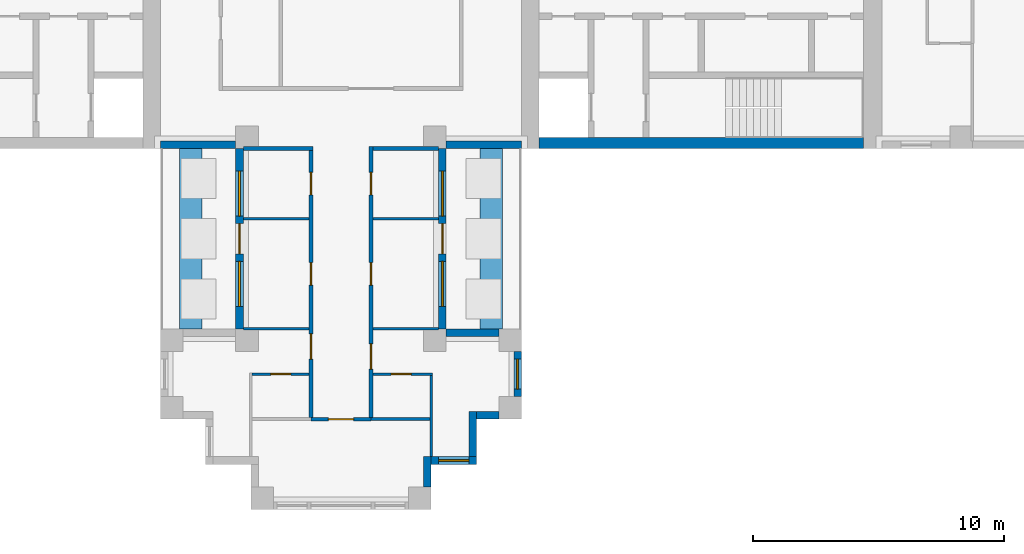
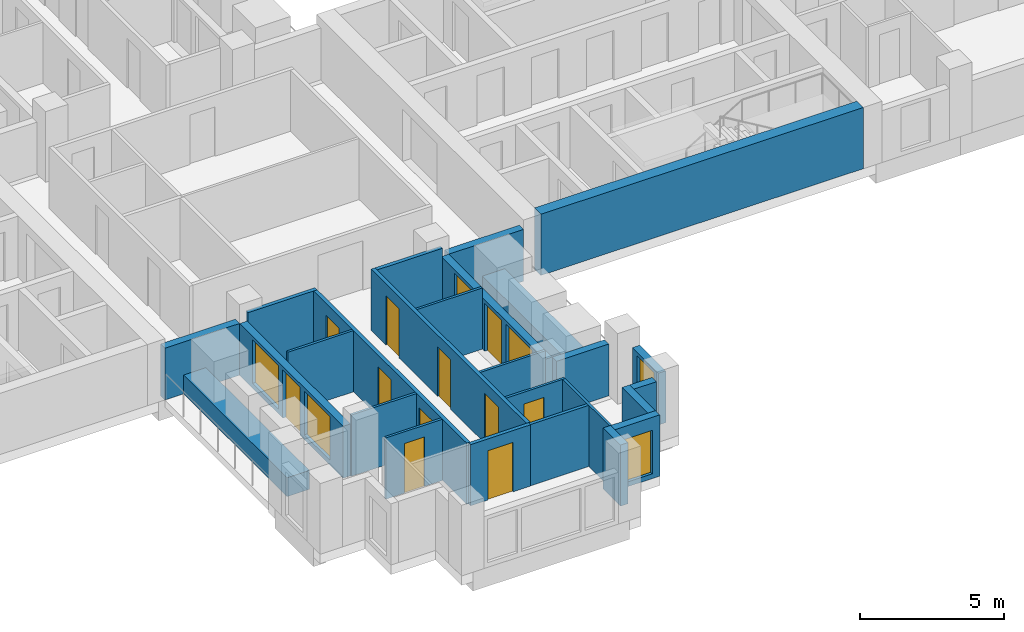
# One storey, part 5 of 12: 26 walls, 11 doors, 6 windows, 17 openings.
"""IFC4 building model written with IfcOpenShell, lengths in metres."""

from ifc_helpers import new_model, si_unit, direction, frame, frame_2d, origin, place, context, subcontext, project, spatial, rectangle, extrude, material, layer, layer_set, type_object, element, fill, save


model = new_model("IFC4")

# Units and contexts
model_context = context("Model", 3, precision=1e-05, world=origin(), true_north=direction((0.0, 1.0)))
body_context = subcontext(model_context, "Body", "Model", "MODEL_VIEW")
ifc_project = project(units=[si_unit("LENGTHUNIT", "METRE"), si_unit("AREAUNIT", "SQUARE_METRE"), si_unit("VOLUMEUNIT", "CUBIC_METRE"), si_unit("PLANEANGLEUNIT", "RADIAN"), si_unit("MASSUNIT", "GRAM", prefix="KILO")], contexts=[model_context])

# Site, building, storey
site_placement = place(None, origin())
site = spatial("IfcSite", under=ifc_project, at=site_placement, CompositionType="ELEMENT")
building_placement = place(site_placement, origin())
building = spatial("IfcBuilding", under=site, at=building_placement, Name="Fustian Cross Tower", CompositionType="ELEMENT")
storey_placement = place(building_placement, frame((0.0, 0.0, 147.300048828125)))
storey = spatial("IfcBuildingStorey", under=building, at=storey_placement, Name="L46", CompositionType="ELEMENT", Elevation=147.300048828125)

# Wall
ifc_material_1 = material(Name="Plasterboard on steel stud", Category="steel")
ifc_layer_1 = layer(ifc_material_1, 0.14990234375)
ifc_layer_set_1 = layer_set([ifc_layer_1], Name="Plasterboard on steel stud")
wall_type_1 = type_object("IfcWallType", Name="COMPARTMENT WALL 150 EI 60", PredefinedType="PARTITIONING", material=ifc_layer_set_1)
wall_1_placement = place(storey_placement, frame((-3.89990234375, -7.199951171875, 0.0), z_axis=(0.0, 0.0, 1.0), x_axis=(1.0, 0.0, 0.0)))
element("IfcWall", 1, at=wall_1_placement, inside=storey, type_object=wall_type_1, Name="Partition 23", PredefinedType="PARTITIONING", context=body_context, shape_type="SweptSolid", body=[
    extrude(rectangle(XDim=2.77490234375, YDim=0.14990234375, at=frame_2d((1.387451171875, 0.0))), origin(), (0.0, 0.0, 1.0), 2.599853515625),
])

# Wall, openings, doors
wall_2_placement = place(storey_placement, frame((-1.199951171875, -17.925048828125, 0.0), z_axis=(0.0, 0.0, 1.0), x_axis=(0.0, 1.0, 0.0)))
wall_2 = element("IfcWall", 2, at=wall_2_placement, inside=storey, type_object=wall_type_1, Name="Partition 36", PredefinedType="PARTITIONING", context=body_context, shape_type="SweptSolid", body=[
    extrude(rectangle(XDim=10.650146484375, YDim=0.14990234375, at=frame_2d((5.3251953125, 0.0))), origin(), (0.0, 0.0, 1.0), 2.599853515625),
])
opening_1_placement = place(wall_2_placement, frame((8.875, 0.0, 0.0)))
opening_1 = element("IfcOpeningElement", 3, at=opening_1_placement, cuts=wall_2, Name="Opening D21043", PredefinedType="OPENING", context=body_context, shape_type="SweptSolid", body=[
    extrude(rectangle(XDim=0.89990234375, YDim=2.10009765625, at=frame_2d((0.449951171875, 1.050048828125))), frame((0.0, 0.0849609375, 0.0), z_axis=(0.0, -1.0, 0.0), x_axis=(1.0, 0.0, 0.0)), (0.0, 0.0, 1.0), 0.169921875),
])
opening_2_placement = place(wall_2_placement, frame((5.27490234375, 0.0, 0.0)))
opening_2 = element("IfcOpeningElement", 4, at=opening_2_placement, cuts=wall_2, Name="Opening D21044", PredefinedType="OPENING", context=body_context, shape_type="SweptSolid", body=[
    extrude(rectangle(XDim=0.89990234375, YDim=2.10009765625, at=frame_2d((0.449951171875, 1.050048828125))), frame((0.0, 0.0849609375, 0.0), z_axis=(0.0, -1.0, 0.0), x_axis=(1.0, 0.0, 0.0)), (0.0, 0.0, 1.0), 0.169921875),
])
opening_3_placement = place(wall_2_placement, frame((2.324951171875, 0.0, 0.0)))
opening_3 = element("IfcOpeningElement", 5, at=opening_3_placement, cuts=wall_2, Name="Opening D21046", PredefinedType="OPENING", context=body_context, shape_type="SweptSolid", body=[
    extrude(rectangle(XDim=1.0, YDim=2.10009765625, at=frame_2d((0.5, 1.050048828125))), frame((0.0, 0.0849609375, 0.0), z_axis=(0.0, -1.0, 0.0), x_axis=(1.0, 0.0, 0.0)), (0.0, 0.0, 1.0), 0.169921875),
])
ifc_material_2 = material(Name="Timber fire door set", Category="wood")
door_type_1 = type_object("IfcDoorType", Name="FIRE SWING DOOR 1000 FD30S", OperationType="SINGLE_SWING_LEFT", PredefinedType="DOOR", material=ifc_material_2)
door_1_placement = place(opening_3_placement, origin())
door_1 = element("IfcDoor", 6, at=door_1_placement, inside=storey, type_object=door_type_1, Name="Door D21046", OperationType="SINGLE_SWING_RIGHT", OverallHeight=2.10009765625, OverallWidth=1.0, PredefinedType="DOOR", context=body_context, shape_type="SweptSolid", body=[
    extrude(rectangle(XDim=1.0, YDim=2.10009765625, at=frame_2d((0.5, 1.050048828125))), frame((0.0, 0.02490234375, 0.0), z_axis=(0.0, -1.0, 0.0), x_axis=(1.0, 0.0, 0.0)), (0.0, 0.0, 1.0), 0.050048828125),
])
fill(opening_3, door_1)
ifc_material_3 = material(Name="Timber fire door set", Category="wood")
door_type_2 = type_object("IfcDoorType", Name="FIRE SWING DOOR 900 FD30S", OperationType="SINGLE_SWING_LEFT", PredefinedType="DOOR", material=ifc_material_3)
door_2_placement = place(opening_1_placement, origin())
door_2 = element("IfcDoor", 7, at=door_2_placement, inside=storey, type_object=door_type_2, Name="Door D21043", OperationType="SINGLE_SWING_LEFT", OverallHeight=2.10009765625, OverallWidth=0.89990234375, PredefinedType="DOOR", context=body_context, shape_type="SweptSolid", body=[
    extrude(rectangle(XDim=0.89990234375, YDim=2.10009765625, at=frame_2d((0.449951171875, 1.050048828125))), frame((0.0, 0.02490234375, 0.0), z_axis=(0.0, -1.0, 0.0), x_axis=(1.0, 0.0, 0.0)), (0.0, 0.0, 1.0), 0.050048828125),
])
fill(opening_1, door_2)
door_3_placement = place(opening_2_placement, origin())
door_3 = element("IfcDoor", 8, at=door_3_placement, inside=storey, type_object=door_type_2, Name="Door D21044", OperationType="SINGLE_SWING_LEFT", OverallHeight=2.10009765625, OverallWidth=0.89990234375, PredefinedType="DOOR", context=body_context, shape_type="SweptSolid", body=[
    extrude(rectangle(XDim=0.89990234375, YDim=2.10009765625, at=frame_2d((0.449951171875, 1.050048828125))), frame((0.0, 0.02490234375, 0.0), z_axis=(0.0, -1.0, 0.0), x_axis=(1.0, 0.0, 0.0)), (0.0, 0.0, 1.0), 0.050048828125),
])
fill(opening_2, door_3)

# Wall, opening, door
wall_3_placement = place(storey_placement, frame((-1.199951171875, -18.0, 0.0), z_axis=(0.0, 0.0, 1.0), x_axis=(1.0, 0.0, 0.0)))
wall_3 = element("IfcWall", 9, at=wall_3_placement, inside=storey, type_object=wall_type_1, Name="Partition 37", PredefinedType="PARTITIONING", context=body_context, shape_type="SweptSolid", body=[
    extrude(rectangle(XDim=2.39990234375, YDim=0.14990234375, at=frame_2d((1.199951171875, 0.0))), origin(), (0.0, 0.0, 1.0), 2.599853515625),
])
opening_4_placement = place(wall_3_placement, frame((0.699951171875, 0.0, 0.0)))
opening_4 = element("IfcOpeningElement", 10, at=opening_4_placement, cuts=wall_3, Name="Opening D21038", PredefinedType="OPENING", context=body_context, shape_type="SweptSolid", body=[
    extrude(rectangle(XDim=1.0, YDim=2.10009765625, at=frame_2d((0.5, 1.050048828125))), frame((0.0, 0.0849609375, 0.0), z_axis=(0.0, -1.0, 0.0), x_axis=(1.0, 0.0, 0.0)), (0.0, 0.0, 1.0), 0.169921875),
])
door_4_placement = place(opening_4_placement, frame((1.0, 0.0, 0.0), z_axis=(0.0, 0.0, 1.0), x_axis=(-1.0, 0.0, 0.0)))
door_4 = element("IfcDoor", 11, at=door_4_placement, inside=storey, type_object=door_type_1, Name="Door D21038", OperationType="SINGLE_SWING_RIGHT", OverallHeight=2.10009765625, OverallWidth=1.0, PredefinedType="DOOR", context=body_context, shape_type="SweptSolid", body=[
    extrude(rectangle(XDim=1.0, YDim=2.10009765625, at=frame_2d((0.5, 1.050048828125))), frame((0.0, 0.02490234375, 0.0), z_axis=(0.0, -1.0, 0.0), x_axis=(1.0, 0.0, 0.0)), (0.0, 0.0, 1.0), 0.050048828125),
])
fill(opening_4, door_4)

# Wall, openings, doors
wall_4_placement = place(storey_placement, frame((1.199951171875, -17.925048828125, 0.0), z_axis=(0.0, 0.0, 1.0), x_axis=(0.0, 1.0, 0.0)))
wall_4 = element("IfcWall", 12, at=wall_4_placement, inside=storey, type_object=wall_type_1, Name="Partition 40", PredefinedType="PARTITIONING", context=body_context, shape_type="SweptSolid", body=[
    extrude(rectangle(XDim=10.800048828125, YDim=0.14990234375, at=frame_2d((5.39990234375, 0.0))), origin(), (0.0, 0.0, 1.0), 2.599853515625),
])
opening_5_placement = place(wall_4_placement, frame((8.875, 0.0, 0.0)))
opening_5 = element("IfcOpeningElement", 13, at=opening_5_placement, cuts=wall_4, Name="Opening D21039", PredefinedType="OPENING", context=body_context, shape_type="SweptSolid", body=[
    extrude(rectangle(XDim=0.89990234375, YDim=2.10009765625, at=frame_2d((0.449951171875, 1.050048828125))), frame((0.0, 0.0849609375, 0.0), z_axis=(0.0, -1.0, 0.0), x_axis=(1.0, 0.0, 0.0)), (0.0, 0.0, 1.0), 0.169921875),
])
opening_6_placement = place(wall_4_placement, frame((5.27490234375, 0.0, 0.0)))
opening_6 = element("IfcOpeningElement", 14, at=opening_6_placement, cuts=wall_4, Name="Opening D21040", PredefinedType="OPENING", context=body_context, shape_type="SweptSolid", body=[
    extrude(rectangle(XDim=0.89990234375, YDim=2.10009765625, at=frame_2d((0.449951171875, 1.050048828125))), frame((0.0, 0.0849609375, 0.0), z_axis=(0.0, -1.0, 0.0), x_axis=(1.0, 0.0, 0.0)), (0.0, 0.0, 1.0), 0.169921875),
])
opening_7_placement = place(wall_4_placement, frame((1.925048828125, 0.0, 0.0)))
opening_7 = element("IfcOpeningElement", 15, at=opening_7_placement, cuts=wall_4, Name="Opening D21042", PredefinedType="OPENING", context=body_context, shape_type="SweptSolid", body=[
    extrude(rectangle(XDim=1.0, YDim=2.10009765625, at=frame_2d((0.5, 1.050048828125))), frame((0.0, 0.0849609375, 0.0), z_axis=(0.0, -1.0, 0.0), x_axis=(1.0, 0.0, 0.0)), (0.0, 0.0, 1.0), 0.169921875),
])
door_5_placement = place(opening_7_placement, frame((1.0, 0.0, 0.0), z_axis=(0.0, 0.0, 1.0), x_axis=(-1.0, 0.0, 0.0)))
door_5 = element("IfcDoor", 16, at=door_5_placement, inside=storey, type_object=door_type_1, Name="Door D21042", OperationType="SINGLE_SWING_RIGHT", OverallHeight=2.10009765625, OverallWidth=1.0, PredefinedType="DOOR", context=body_context, shape_type="SweptSolid", body=[
    extrude(rectangle(XDim=1.0, YDim=2.10009765625, at=frame_2d((0.5, 1.050048828125))), frame((0.0, 0.02490234375, 0.0), z_axis=(0.0, -1.0, 0.0), x_axis=(1.0, 0.0, 0.0)), (0.0, 0.0, 1.0), 0.050048828125),
])
fill(opening_7, door_5)
door_6_placement = place(opening_5_placement, frame((0.89990234375, 0.0, 0.0), z_axis=(0.0, 0.0, 1.0), x_axis=(-1.0, 0.0, 0.0)))
door_6 = element("IfcDoor", 17, at=door_6_placement, inside=storey, type_object=door_type_2, Name="Door D21039", OperationType="SINGLE_SWING_RIGHT", OverallHeight=2.10009765625, OverallWidth=0.89990234375, PredefinedType="DOOR", context=body_context, shape_type="SweptSolid", body=[
    extrude(rectangle(XDim=0.89990234375, YDim=2.10009765625, at=frame_2d((0.449951171875, 1.050048828125))), frame((0.0, 0.02490234375, 0.0), z_axis=(0.0, -1.0, 0.0), x_axis=(1.0, 0.0, 0.0)), (0.0, 0.0, 1.0), 0.050048828125),
])
fill(opening_5, door_6)
door_7_placement = place(opening_6_placement, frame((0.89990234375, 0.0, 0.0), z_axis=(0.0, 0.0, 1.0), x_axis=(-1.0, 0.0, 0.0)))
door_7 = element("IfcDoor", 18, at=door_7_placement, inside=storey, type_object=door_type_2, Name="Door D21040", OperationType="SINGLE_SWING_RIGHT", OverallHeight=2.10009765625, OverallWidth=0.89990234375, PredefinedType="DOOR", context=body_context, shape_type="SweptSolid", body=[
    extrude(rectangle(XDim=0.89990234375, YDim=2.10009765625, at=frame_2d((0.449951171875, 1.050048828125))), frame((0.0, 0.02490234375, 0.0), z_axis=(0.0, -1.0, 0.0), x_axis=(1.0, 0.0, 0.0)), (0.0, 0.0, 1.0), 0.050048828125),
])
fill(opening_6, door_7)

# Walls
wall_5_placement = place(storey_placement, frame((1.27490234375, -7.199951171875, 0.0), z_axis=(0.0, 0.0, 1.0), x_axis=(1.0, 0.0, 0.0)))
element("IfcWall", 19, at=wall_5_placement, inside=storey, type_object=wall_type_1, Name="Partition 45", PredefinedType="PARTITIONING", context=body_context, shape_type="SweptSolid", body=[
    extrude(rectangle(XDim=2.625, YDim=0.14990234375, at=frame_2d((1.3125, 0.0))), origin(), (0.0, 0.0, 1.0), 2.599853515625),
])
ifc_material_4 = material(Name="Concrete C60/75", Category="concrete")
ifc_layer_2 = layer(ifc_material_4, 0.449951171875)
ifc_layer_set_2 = layer_set([ifc_layer_2], Name="Concrete C60/75")
wall_type_2 = type_object("IfcWallType", Name="CORE FACADE WALL 450 C60/75", PredefinedType="SHEAR", material=ifc_layer_set_2)
wall_6_placement = place(storey_placement, frame((7.89990234375, -6.97509765625, 0.0), z_axis=(0.0, 0.0, 1.0), x_axis=(1.0, 0.0, 0.0)))
element("IfcWall", 20, at=wall_6_placement, inside=storey, type_object=wall_type_2, Name="Core facade wall", PredefinedType="SHEAR", context=body_context, shape_type="SweptSolid", body=[
    extrude(rectangle(XDim=12.9501953125, YDim=0.449951171875, at=frame_2d((6.47509765625, 0.0))), origin(), (0.0, 0.0, 1.0), 2.599853515625),
])
ifc_material_5 = material(Name="Plasterboard on steel stud", Category="steel")
ifc_layer_3 = layer(ifc_material_5, 0.10009765625)
ifc_layer_set_3 = layer_set([ifc_layer_3], Name="Plasterboard on steel stud")
wall_type_3 = type_object("IfcWallType", Name="PARTITION 100 STUD", PredefinedType="PARTITIONING", material=ifc_layer_set_3)
for number, where, z_axis, x_axis, name in (
    (21, (-3.89990234375, -14.39990234375, 0.0), (0.0, 0.0, 1.0), (1.0, 0.0, 0.0), "Partition 21"),
    (22, (-3.89990234375, -10.0, 0.0), (0.0, 0.0, 1.0), (1.0, 0.0, 0.0), "Partition 22"),
):
    element("IfcWall", number, at=place(storey_placement, frame(where, z_axis=z_axis, x_axis=x_axis)), inside=storey, type_object=wall_type_3, Name=name, PredefinedType="PARTITIONING", context=body_context, shape_type="SweptSolid", body=[
        extrude(rectangle(XDim=2.625, YDim=0.10009765625, at=frame_2d((1.3125, 0.0))), origin(), (0.0, 0.0, 1.0), 2.599853515625),
    ])

# Wall, opening, door
wall_7_placement = place(storey_placement, frame((-3.550048828125, -16.199951171875, 0.0), z_axis=(0.0, 0.0, 1.0), x_axis=(1.0, 0.0, 0.0)))
wall_7 = element("IfcWall", 23, at=wall_7_placement, inside=storey, type_object=wall_type_3, Name="Partition 29", PredefinedType="PARTITIONING", context=body_context, shape_type="SweptSolid", body=[
    extrude(rectangle(XDim=2.275146484375, YDim=0.10009765625, at=frame_2d((1.1376953125, 0.0))), origin(), (0.0, 0.0, 1.0), 2.599853515625),
])
opening_8_placement = place(wall_7_placement, frame((0.75, 0.0, 0.0)))
opening_8 = element("IfcOpeningElement", 24, at=opening_8_placement, cuts=wall_7, Name="Opening D21045", PredefinedType="OPENING", context=body_context, shape_type="SweptSolid", body=[
    extrude(rectangle(XDim=0.800048828125, YDim=2.10009765625, at=frame_2d((0.39990234375, 1.050048828125))), frame((0.0, 0.06005859375, 0.0), z_axis=(0.0, -1.0, 0.0), x_axis=(1.0, 0.0, 0.0)), (0.0, 0.0, 1.0), 0.1201171875),
])
ifc_material_6 = material(Name="Painted timber", Category="wood")
door_type_3 = type_object("IfcDoorType", Name="SWING DOOR 800", OperationType="SINGLE_SWING_LEFT", PredefinedType="DOOR", material=ifc_material_6)
door_8_placement = place(opening_8_placement, frame((0.800048828125, 0.0, 0.0), z_axis=(0.0, 0.0, 1.0), x_axis=(-1.0, 0.0, 0.0)))
door_8 = element("IfcDoor", 25, at=door_8_placement, inside=storey, type_object=door_type_3, Name="Door D21045", OperationType="SINGLE_SWING_RIGHT", OverallHeight=2.10009765625, OverallWidth=0.800048828125, PredefinedType="DOOR", context=body_context, shape_type="SweptSolid", body=[
    extrude(rectangle(XDim=0.800048828125, YDim=2.10009765625, at=frame_2d((0.39990234375, 1.050048828125))), frame((0.0, 0.02490234375, 0.0), z_axis=(0.0, -1.0, 0.0), x_axis=(1.0, 0.0, 0.0)), (0.0, 0.0, 1.0), 0.050048828125),
])
fill(opening_8, door_8)

wall_8_placement = place(storey_placement, frame((1.27490234375, -16.199951171875, 0.0), z_axis=(0.0, 0.0, 1.0), x_axis=(1.0, 0.0, 0.0)))
wall_8 = element("IfcWall", 26, at=wall_8_placement, inside=storey, type_object=wall_type_3, Name="Partition 42", PredefinedType="PARTITIONING", context=body_context, shape_type="SweptSolid", body=[
    extrude(rectangle(XDim=2.375, YDim=0.10009765625, at=frame_2d((1.1875, 0.0))), origin(), (0.0, 0.0, 1.0), 2.599853515625),
])
opening_9_placement = place(wall_8_placement, frame((0.72509765625, 0.0, 0.0)))
opening_9 = element("IfcOpeningElement", 27, at=opening_9_placement, cuts=wall_8, Name="Opening D21041", PredefinedType="OPENING", context=body_context, shape_type="SweptSolid", body=[
    extrude(rectangle(XDim=0.800048828125, YDim=2.10009765625, at=frame_2d((0.39990234375, 1.050048828125))), frame((0.0, 0.06005859375, 0.0), z_axis=(0.0, -1.0, 0.0), x_axis=(1.0, 0.0, 0.0)), (0.0, 0.0, 1.0), 0.1201171875),
])
door_9_placement = place(opening_9_placement, frame((0.800048828125, 0.0, 0.0), z_axis=(0.0, 0.0, 1.0), x_axis=(-1.0, 0.0, 0.0)))
door_9 = element("IfcDoor", 28, at=door_9_placement, inside=storey, type_object=door_type_3, Name="Door D21041", OperationType="SINGLE_SWING_RIGHT", OverallHeight=2.10009765625, OverallWidth=0.800048828125, PredefinedType="DOOR", context=body_context, shape_type="SweptSolid", body=[
    extrude(rectangle(XDim=0.800048828125, YDim=2.10009765625, at=frame_2d((0.39990234375, 1.050048828125))), frame((0.0, 0.02490234375, 0.0), z_axis=(0.0, -1.0, 0.0), x_axis=(1.0, 0.0, 0.0)), (0.0, 0.0, 1.0), 0.050048828125),
])
fill(opening_9, door_9)

# Walls
for number, where, z_axis, x_axis, name in (
    (29, (1.27490234375, -14.39990234375, 0.0), (0.0, 0.0, 1.0), (1.0, 0.0, 0.0), "Partition 43"),
    (30, (1.27490234375, -10.0, 0.0), (0.0, 0.0, 1.0), (1.0, 0.0, 0.0), "Partition 44"),
):
    element("IfcWall", number, at=place(storey_placement, frame(where, z_axis=z_axis, x_axis=x_axis)), inside=storey, type_object=wall_type_3, Name=name, PredefinedType="PARTITIONING", context=body_context, shape_type="SweptSolid", body=[
        extrude(rectangle(XDim=2.625, YDim=0.10009765625, at=frame_2d((1.3125, 0.0))), origin(), (0.0, 0.0, 1.0), 2.599853515625),
    ])
wall_9_placement = place(storey_placement, frame((3.60009765625, -19.5, 0.0), z_axis=(0.0, 0.0, 1.0), x_axis=(0.0, 1.0, 0.0)))
element("IfcWall", 31, at=wall_9_placement, inside=storey, type_object=wall_type_3, Name="Partition 52", PredefinedType="PARTITIONING", context=body_context, shape_type="SweptSolid", body=[
    extrude(rectangle(XDim=3.25, YDim=0.10009765625, at=frame_2d((1.625, 0.0))), origin(), (0.0, 0.0, 1.0), 2.599853515625),
])
ifc_material_7 = material(Name="Concrete C40/50", Category="concrete")
ifc_layer_4 = layer(ifc_material_7, 0.89990234375)
ifc_layer_set_4 = layer_set([ifc_layer_4], Name="Concrete C40/50")
wall_type_4 = type_object("IfcWallType", Name="PK1 PLANTER 900", PredefinedType="PARAPET", material=ifc_layer_set_4)
for number, where, z_axis, x_axis, name in (
    (32, (6.0, -14.39990234375, 0.0), (0.0, 0.0, 1.0), (0.0, 1.0, 0.0), "PLANTER"),
    (33, (-6.0, -14.39990234375, 0.0), (0.0, 0.0, 1.0), (0.0, 1.0, 0.0), "PLANTER"),
):
    element("IfcWall", number, at=place(storey_placement, frame(where, z_axis=z_axis, x_axis=x_axis)), inside=storey, type_object=wall_type_4, Name=name, PredefinedType="PARAPET", context=body_context, shape_type="SweptSolid", body=[
        extrude(rectangle(XDim=7.199951171875, YDim=0.89990234375, at=frame_2d((3.60009765625, 0.0))), origin(), (0.0, 0.0, 1.0), 0.800048828125),
    ])
ifc_material_8 = material(Name="Plasterboard on steel stud", Category="steel")
ifc_layer_5 = layer(ifc_material_8, 0.125)
ifc_layer_set_5 = layer_set([ifc_layer_5], Name="Plasterboard on steel stud")
wall_type_5 = type_object("IfcWallType", Name="WET WALL 125 STUD", PredefinedType="PARTITIONING", material=ifc_layer_set_5)
wall_10_placement = place(storey_placement, frame((1.199951171875, -18.0, 0.0), z_axis=(0.0, 0.0, 1.0), x_axis=(1.0, 0.0, 0.0)))
element("IfcWall", 34, at=wall_10_placement, inside=storey, type_object=wall_type_5, Name="Partition 41", PredefinedType="PARTITIONING", context=body_context, shape_type="SweptSolid", body=[
    extrude(rectangle(XDim=2.35009765625, YDim=0.125, at=frame_2d((1.175048828125, 0.0))), origin(), (0.0, 0.0, 1.0), 2.599853515625),
])
ifc_material_9 = material(Name="Dark aluminium cladding on insulated backing wall", Category="aluminium")
ifc_layer_6 = layer(ifc_material_9, 0.300048828125)
ifc_layer_set_6 = layer_set([ifc_layer_6], Name="Dark aluminium cladding on insulated backing wall")
wall_type_6 = type_object("IfcWallType", Name="XW1 EXTERNAL WALL 300", PredefinedType="SOLIDWALL", material=ifc_layer_set_6)
wall_11_placement = place(storey_placement, frame((-7.199951171875, -7.050048828125, 0.0), z_axis=(0.0, 0.0, 1.0), x_axis=(1.0, 0.0, 0.0)))
element("IfcWall", 35, at=wall_11_placement, inside=storey, type_object=wall_type_6, Name="External wall", PredefinedType="SOLIDWALL", context=body_context, shape_type="SweptSolid", body=[
    extrude(rectangle(XDim=3.0, YDim=0.300048828125, at=frame_2d((1.5, 0.0))), origin(), (0.0, 0.0, 1.0), 2.199951171875),
])

# Wall, openings, door, windows
wall_12_placement = place(storey_placement, frame((-4.050048828125, -7.199951171875, 0.0), z_axis=(0.0, 0.0, 1.0), x_axis=(0.0, -1.0, 0.0)))
wall_12 = element("IfcWall", 36, at=wall_12_placement, inside=storey, type_object=wall_type_6, Name="External wall", PredefinedType="SOLIDWALL", context=body_context, shape_type="SweptSolid", body=[
    extrude(rectangle(XDim=7.199951171875, YDim=0.300048828125, at=frame_2d((3.60009765625, 0.0))), origin(), (0.0, 0.0, 1.0), 2.199951171875),
])
opening_10_placement = place(wall_12_placement, frame((3.0, 0.0, 0.0)))
opening_10 = element("IfcOpeningElement", 37, at=opening_10_placement, cuts=wall_12, Name="Opening XD4", PredefinedType="OPENING", context=body_context, shape_type="SweptSolid", body=[
    extrude(rectangle(XDim=1.199951171875, YDim=2.050048828125, at=frame_2d((0.60009765625, 1.02490234375))), frame((0.0, 0.159912109375, 0.0), z_axis=(0.0, -1.0, 0.0), x_axis=(1.0, 0.0, 0.0)), (0.0, 0.0, 1.0), 0.320068359375),
])
opening_11_placement = place(wall_12_placement, frame((0.89990234375, 0.0, 0.199951171875)))
opening_11 = element("IfcOpeningElement", 38, at=opening_11_placement, cuts=wall_12, Name="Opening WN2", PredefinedType="OPENING", context=body_context, shape_type="SweptSolid", body=[
    extrude(rectangle(XDim=1.800048828125, YDim=1.85009765625, at=frame_2d((0.89990234375, 0.925048828125))), frame((0.0, 0.159912109375, 0.0), z_axis=(0.0, -1.0, 0.0), x_axis=(1.0, 0.0, 0.0)), (0.0, 0.0, 1.0), 0.320068359375),
])
opening_12_placement = place(wall_12_placement, frame((4.5, 0.0, 0.199951171875)))
opening_12 = element("IfcOpeningElement", 39, at=opening_12_placement, cuts=wall_12, Name="Opening WN2", PredefinedType="OPENING", context=body_context, shape_type="SweptSolid", body=[
    extrude(rectangle(XDim=1.800048828125, YDim=1.85009765625, at=frame_2d((0.89990234375, 0.925048828125))), frame((0.0, 0.159912109375, 0.0), z_axis=(0.0, -1.0, 0.0), x_axis=(1.0, 0.0, 0.0)), (0.0, 0.0, 1.0), 0.320068359375),
])
ifc_material_10 = material(Name="Dark anodised aluminium and double glazing", Category="aluminium")
door_type_4 = type_object("IfcDoorType", Name="ED1 BALCONY DOOR 1200X2050", OperationType="SINGLE_SWING_LEFT", PredefinedType="DOOR", material=ifc_material_10)
door_10_placement = place(opening_10_placement, origin())
door_10 = element("IfcDoor", 40, at=door_10_placement, inside=storey, type_object=door_type_4, Name="Balcony door", OperationType="SINGLE_SWING_LEFT", OverallHeight=2.050048828125, OverallWidth=1.199951171875, PredefinedType="DOOR", context=body_context, shape_type="SweptSolid", body=[
    extrude(rectangle(XDim=1.199951171875, YDim=2.050048828125, at=frame_2d((0.60009765625, 1.02490234375))), frame((0.0, 0.02490234375, 0.0), z_axis=(0.0, -1.0, 0.0), x_axis=(1.0, 0.0, 0.0)), (0.0, 0.0, 1.0), 0.050048828125),
])
fill(opening_10, door_10)
ifc_material_11 = material(Name="Dark anodised aluminium and double glazing", Category="aluminium")
window_type_1 = type_object("IfcWindowType", Name="WN2 WINDOW 1800X1850", PartitioningType="SINGLE_PANEL", PredefinedType="WINDOW", material=ifc_material_11)
window_1_placement = place(opening_11_placement, origin())
window_1 = element("IfcWindow", 41, at=window_1_placement, inside=storey, type_object=window_type_1, Name="Window", OverallHeight=1.85009765625, OverallWidth=1.800048828125, PartitioningType="SINGLE_PANEL", PredefinedType="WINDOW", context=body_context, shape_type="SweptSolid", body=[
    extrude(rectangle(XDim=1.800048828125, YDim=1.85009765625, at=frame_2d((0.89990234375, 0.925048828125))), frame((0.0, 0.030029296875, 0.0), z_axis=(0.0, -1.0, 0.0), x_axis=(1.0, 0.0, 0.0)), (0.0, 0.0, 1.0), 0.06005859375),
])
fill(opening_11, window_1)
window_2_placement = place(opening_12_placement, origin())
window_2 = element("IfcWindow", 42, at=window_2_placement, inside=storey, type_object=window_type_1, Name="Window", OverallHeight=1.85009765625, OverallWidth=1.800048828125, PartitioningType="SINGLE_PANEL", PredefinedType="WINDOW", context=body_context, shape_type="SweptSolid", body=[
    extrude(rectangle(XDim=1.800048828125, YDim=1.85009765625, at=frame_2d((0.89990234375, 0.925048828125))), frame((0.0, 0.030029296875, 0.0), z_axis=(0.0, -1.0, 0.0), x_axis=(1.0, 0.0, 0.0)), (0.0, 0.0, 1.0), 0.06005859375),
])
fill(opening_12, window_2)

# Wall
wall_13_placement = place(storey_placement, frame((3.449951171875, -20.699951171875, 0.0), z_axis=(0.0, 0.0, 1.0), x_axis=(0.0, 1.0, 0.0)))
element("IfcWall", 43, at=wall_13_placement, inside=storey, type_object=wall_type_6, Name="External wall", PredefinedType="SOLIDWALL", context=body_context, shape_type="SweptSolid", body=[
    extrude(rectangle(XDim=1.199951171875, YDim=0.300048828125, at=frame_2d((0.60009765625, 0.0))), origin(), (0.0, 0.0, 1.0), 2.599853515625),
])

# Wall, opening, window
wall_14_placement = place(storey_placement, frame((3.60009765625, -19.64990234375, 0.0), z_axis=(0.0, 0.0, 1.0), x_axis=(1.0, 0.0, 0.0)))
wall_14 = element("IfcWall", 44, at=wall_14_placement, inside=storey, type_object=wall_type_6, Name="External wall", PredefinedType="SOLIDWALL", context=body_context, shape_type="SweptSolid", body=[
    extrude(rectangle(XDim=1.7998046875, YDim=0.300048828125, at=frame_2d((0.89990234375, 0.0))), origin(), (0.0, 0.0, 1.0), 2.599853515625),
])
opening_13_placement = place(wall_14_placement, frame((0.300048828125, 0.0, 0.199951171875)))
opening_13 = element("IfcOpeningElement", 45, at=opening_13_placement, cuts=wall_14, Name="Opening WN3", PredefinedType="OPENING", context=body_context, shape_type="SweptSolid", body=[
    extrude(rectangle(XDim=1.199951171875, YDim=1.85009765625, at=frame_2d((0.60009765625, 0.925048828125))), frame((0.0, 0.159912109375, 0.0), z_axis=(0.0, -1.0, 0.0), x_axis=(1.0, 0.0, 0.0)), (0.0, 0.0, 1.0), 0.320068359375),
])
ifc_material_12 = material(Name="Dark anodised aluminium and double glazing", Category="aluminium")
window_type_2 = type_object("IfcWindowType", Name="WN3 WINDOW 1200X1850", PartitioningType="SINGLE_PANEL", PredefinedType="WINDOW", material=ifc_material_12)
window_3_placement = place(opening_13_placement, origin())
window_3 = element("IfcWindow", 46, at=window_3_placement, inside=storey, type_object=window_type_2, Name="Window", OverallHeight=1.85009765625, OverallWidth=1.199951171875, PartitioningType="SINGLE_PANEL", PredefinedType="WINDOW", context=body_context, shape_type="SweptSolid", body=[
    extrude(rectangle(XDim=1.199951171875, YDim=1.85009765625, at=frame_2d((0.60009765625, 0.925048828125))), frame((0.0, 0.030029296875, 0.0), z_axis=(0.0, -1.0, 0.0), x_axis=(1.0, 0.0, 0.0)), (0.0, 0.0, 1.0), 0.06005859375),
])
fill(opening_13, window_3)

# Walls
wall_15_placement = place(storey_placement, frame((5.25, -19.5, 0.0), z_axis=(0.0, 0.0, 1.0), x_axis=(0.0, 1.0, 0.0)))
element("IfcWall", 47, at=wall_15_placement, inside=storey, type_object=wall_type_6, Name="External wall", PredefinedType="SOLIDWALL", context=body_context, shape_type="SweptSolid", body=[
    extrude(rectangle(XDim=1.800048828125, YDim=0.300048828125, at=frame_2d((0.89990234375, 0.0))), origin(), (0.0, 0.0, 1.0), 2.599853515625),
])
wall_16_placement = place(storey_placement, frame((5.39990234375, -17.85009765625, 0.0), z_axis=(0.0, 0.0, 1.0), x_axis=(1.0, 0.0, 0.0)))
element("IfcWall", 48, at=wall_16_placement, inside=storey, type_object=wall_type_6, Name="External wall", PredefinedType="SOLIDWALL", context=body_context, shape_type="SweptSolid", body=[
    extrude(rectangle(XDim=0.900146484375, YDim=0.300048828125, at=frame_2d((0.4501953125, 0.0))), origin(), (0.0, 0.0, 1.0), 2.599853515625),
])

# Wall, opening, window
wall_17_placement = place(storey_placement, frame((7.050048828125, -17.10009765625, 0.0), z_axis=(0.0, 0.0, 1.0), x_axis=(0.0, 1.0, 0.0)))
wall_17 = element("IfcWall", 49, at=wall_17_placement, inside=storey, type_object=wall_type_6, Name="External wall", PredefinedType="SOLIDWALL", context=body_context, shape_type="SweptSolid", body=[
    extrude(rectangle(XDim=1.800048828125, YDim=0.300048828125, at=frame_2d((0.89990234375, 0.0))), origin(), (0.0, 0.0, 1.0), 2.199951171875),
])
opening_14_placement = place(wall_17_placement, frame((0.300048828125, 0.0, 0.199951171875)))
opening_14 = element("IfcOpeningElement", 50, at=opening_14_placement, cuts=wall_17, Name="Opening WN3", PredefinedType="OPENING", context=body_context, shape_type="SweptSolid", body=[
    extrude(rectangle(XDim=1.199951171875, YDim=1.85009765625, at=frame_2d((0.60009765625, 0.925048828125))), frame((0.0, 0.159912109375, 0.0), z_axis=(0.0, -1.0, 0.0), x_axis=(1.0, 0.0, 0.0)), (0.0, 0.0, 1.0), 0.320068359375),
])
window_4_placement = place(opening_14_placement, origin())
window_4 = element("IfcWindow", 51, at=window_4_placement, inside=storey, type_object=window_type_2, Name="Window", OverallHeight=1.85009765625, OverallWidth=1.199951171875, PartitioningType="SINGLE_PANEL", PredefinedType="WINDOW", context=body_context, shape_type="SweptSolid", body=[
    extrude(rectangle(XDim=1.199951171875, YDim=1.85009765625, at=frame_2d((0.60009765625, 0.925048828125))), frame((0.0, 0.030029296875, 0.0), z_axis=(0.0, -1.0, 0.0), x_axis=(1.0, 0.0, 0.0)), (0.0, 0.0, 1.0), 0.06005859375),
])
fill(opening_14, window_4)

# Wall
wall_18_placement = place(storey_placement, frame((6.300048828125, -14.550048828125, 0.0), z_axis=(0.0, 0.0, 1.0), x_axis=(-1.0, 0.0, 0.0)))
element("IfcWall", 52, at=wall_18_placement, inside=storey, type_object=wall_type_6, Name="External wall", PredefinedType="SOLIDWALL", context=body_context, shape_type="SweptSolid", body=[
    extrude(rectangle(XDim=2.10009765625, YDim=0.300048828125, at=frame_2d((1.050048828125, 0.0))), origin(), (0.0, 0.0, 1.0), 2.199951171875),
])

# Wall, openings, door, windows
wall_19_placement = place(storey_placement, frame((4.050048828125, -14.39990234375, 0.0), z_axis=(0.0, 0.0, 1.0), x_axis=(0.0, 1.0, 0.0)))
wall_19 = element("IfcWall", 53, at=wall_19_placement, inside=storey, type_object=wall_type_6, Name="External wall", PredefinedType="SOLIDWALL", context=body_context, shape_type="SweptSolid", body=[
    extrude(rectangle(XDim=7.199951171875, YDim=0.300048828125, at=frame_2d((3.60009765625, 0.0))), origin(), (0.0, 0.0, 1.0), 2.199951171875),
])
opening_15_placement = place(wall_19_placement, frame((3.0, 0.0, 0.0)))
opening_15 = element("IfcOpeningElement", 54, at=opening_15_placement, cuts=wall_19, Name="Opening XD3", PredefinedType="OPENING", context=body_context, shape_type="SweptSolid", body=[
    extrude(rectangle(XDim=1.199951171875, YDim=2.050048828125, at=frame_2d((0.60009765625, 1.02490234375))), frame((0.0, 0.159912109375, 0.0), z_axis=(0.0, -1.0, 0.0), x_axis=(1.0, 0.0, 0.0)), (0.0, 0.0, 1.0), 0.320068359375),
])
opening_16_placement = place(wall_19_placement, frame((0.89990234375, 0.0, 0.199951171875)))
opening_16 = element("IfcOpeningElement", 55, at=opening_16_placement, cuts=wall_19, Name="Opening WN2", PredefinedType="OPENING", context=body_context, shape_type="SweptSolid", body=[
    extrude(rectangle(XDim=1.800048828125, YDim=1.85009765625, at=frame_2d((0.89990234375, 0.925048828125))), frame((0.0, 0.159912109375, 0.0), z_axis=(0.0, -1.0, 0.0), x_axis=(1.0, 0.0, 0.0)), (0.0, 0.0, 1.0), 0.320068359375),
])
opening_17_placement = place(wall_19_placement, frame((4.5, 0.0, 0.199951171875)))
opening_17 = element("IfcOpeningElement", 56, at=opening_17_placement, cuts=wall_19, Name="Opening WN2", PredefinedType="OPENING", context=body_context, shape_type="SweptSolid", body=[
    extrude(rectangle(XDim=1.800048828125, YDim=1.85009765625, at=frame_2d((0.89990234375, 0.925048828125))), frame((0.0, 0.159912109375, 0.0), z_axis=(0.0, -1.0, 0.0), x_axis=(1.0, 0.0, 0.0)), (0.0, 0.0, 1.0), 0.320068359375),
])
door_11_placement = place(opening_15_placement, origin())
door_11 = element("IfcDoor", 57, at=door_11_placement, inside=storey, type_object=door_type_4, Name="Balcony door", OperationType="SINGLE_SWING_LEFT", OverallHeight=2.050048828125, OverallWidth=1.199951171875, PredefinedType="DOOR", context=body_context, shape_type="SweptSolid", body=[
    extrude(rectangle(XDim=1.199951171875, YDim=2.050048828125, at=frame_2d((0.60009765625, 1.02490234375))), frame((0.0, 0.02490234375, 0.0), z_axis=(0.0, -1.0, 0.0), x_axis=(1.0, 0.0, 0.0)), (0.0, 0.0, 1.0), 0.050048828125),
])
fill(opening_15, door_11)
window_5_placement = place(opening_16_placement, origin())
window_5 = element("IfcWindow", 58, at=window_5_placement, inside=storey, type_object=window_type_1, Name="Window", OverallHeight=1.85009765625, OverallWidth=1.800048828125, PartitioningType="SINGLE_PANEL", PredefinedType="WINDOW", context=body_context, shape_type="SweptSolid", body=[
    extrude(rectangle(XDim=1.800048828125, YDim=1.85009765625, at=frame_2d((0.89990234375, 0.925048828125))), frame((0.0, 0.030029296875, 0.0), z_axis=(0.0, -1.0, 0.0), x_axis=(1.0, 0.0, 0.0)), (0.0, 0.0, 1.0), 0.06005859375),
])
fill(opening_16, window_5)
window_6_placement = place(opening_17_placement, origin())
window_6 = element("IfcWindow", 59, at=window_6_placement, inside=storey, type_object=window_type_1, Name="Window", OverallHeight=1.85009765625, OverallWidth=1.800048828125, PartitioningType="SINGLE_PANEL", PredefinedType="WINDOW", context=body_context, shape_type="SweptSolid", body=[
    extrude(rectangle(XDim=1.800048828125, YDim=1.85009765625, at=frame_2d((0.89990234375, 0.925048828125))), frame((0.0, 0.030029296875, 0.0), z_axis=(0.0, -1.0, 0.0), x_axis=(1.0, 0.0, 0.0)), (0.0, 0.0, 1.0), 0.06005859375),
])
fill(opening_17, window_6)

# Wall
wall_20_placement = place(storey_placement, frame((4.199951171875, -7.050048828125, 0.0), z_axis=(0.0, 0.0, 1.0), x_axis=(1.0, 0.0, 0.0)))
element("IfcWall", 60, at=wall_20_placement, inside=storey, type_object=wall_type_6, Name="External wall", PredefinedType="SOLIDWALL", context=body_context, shape_type="SweptSolid", body=[
    extrude(rectangle(XDim=3.0, YDim=0.300048828125, at=frame_2d((1.5, 0.0))), origin(), (0.0, 0.0, 1.0), 2.199951171875),
])

save(model, "model.ifc")
